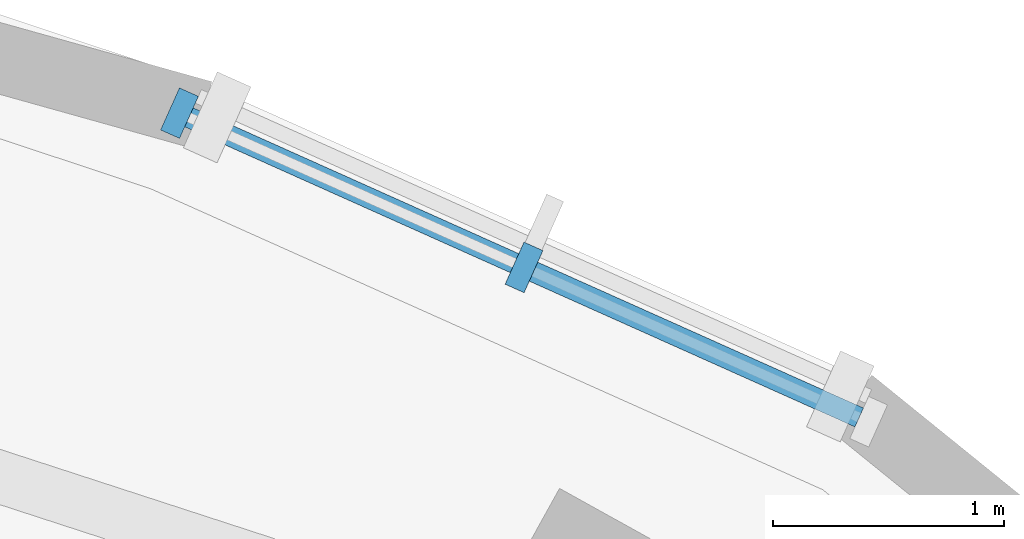
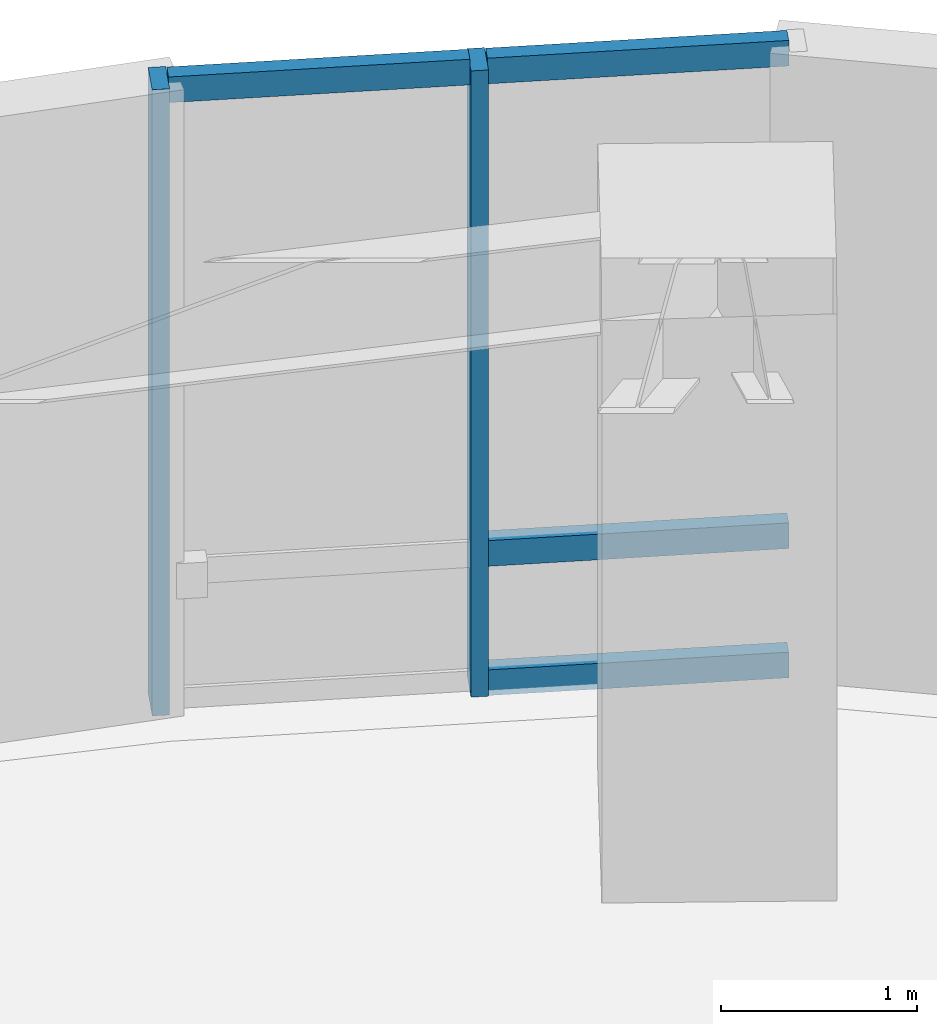
# One storey, part 5 of 13: 6 members, 1 element without a shape of its own.
"""IFC4 building model written with IfcOpenShell, lengths in metres."""

from ifc_helpers import new_model, si_unit, direction, frame, origin, origin_2d, place, context, subcontext, project, spatial, rectangle, extrude, material, layer, layer_set, material_profile, profile_set, type_object, element, aggregate, save


model = new_model("IFC4")

# Units and contexts
model_context = context("Model", 3, precision=1e-05, world=origin(), true_north=direction((0.0, 1.0)))
body_context = subcontext(model_context, "Body", "Model", "MODEL_VIEW")
ifc_project = project(units=[si_unit("LENGTHUNIT", "METRE"), si_unit("AREAUNIT", "SQUARE_METRE"), si_unit("VOLUMEUNIT", "CUBIC_METRE"), si_unit("PLANEANGLEUNIT", "RADIAN"), si_unit("MASSUNIT", "GRAM", prefix="KILO")], contexts=[model_context])

# Site, building, storey
site_placement = place(None, origin())
site = spatial("IfcSite", under=ifc_project, at=site_placement, CompositionType="ELEMENT")
building_placement = place(site_placement, origin())
building = spatial("IfcBuilding", under=site, at=building_placement, Name="Korentha Bioscience Tower", CompositionType="ELEMENT")
storey_placement = place(building_placement, frame((0.0, 0.0, 140.39990234375)))
storey = spatial("IfcBuildingStorey", under=building, at=storey_placement, Name="L32", CompositionType="ELEMENT", Elevation=140.39990234375)

# Curtain wall, members
ifc_material_1 = material(Name="Thermally Broken Aluminium Frame", Category="aluminium")
ifc_layer = layer(ifc_material_1, 0.219970703125, Name="Thermally Broken Aluminium Frame")
ifc_layer_set = layer_set([ifc_layer], Name="Thermally Broken Aluminium Frame (CW-T2)")
curtain_wall_type = type_object("IfcCurtainWallType", Name="Solar-Screened Lab Unitised Curtain Wall CW-T2", PredefinedType="USERDEFINED", material=ifc_layer_set)
curtain_wall_placement = place(storey_placement, origin())
curtain_wall = element("IfcCurtainWall", 1, at=curtain_wall_placement, inside=storey, type_object=curtain_wall_type, Name="L32 Curtain Wall 01", ObjectType="UNITISED", PredefinedType="USERDEFINED")
ifc_material_2 = material(Name="Anodised Aluminium 6063-T6", Category="aluminium")
ifc_material_profile_1 = material_profile(ifc_material_2, rectangle(XDim=0.090087890625, YDim=0.199951171875, at=origin_2d()), Name="Anodised Aluminium 6063-T6")
ifc_profile_set_1 = profile_set([ifc_material_profile_1], Name="Anodised Aluminium 6063-T6 (CW-MUL)")
member_type_1 = type_object("IfcMemberType", Name="Mullion RECT 90x200", PredefinedType="MULLION", material=ifc_profile_set_1)
member_1_placement = place(storey_placement, frame((48.871337890625, 45.72021484375, 0.0), z_axis=(0.0, 0.0, 1.0), x_axis=(-0.912686563127, 0.408660295952, 0.0)))
member_1 = element("IfcMember", 2, at=member_1_placement, type_object=member_type_1, Name="CW-L32-01 Mullion 2", PredefinedType="MULLION", context=body_context, shape_type="SweptSolid", body=[
    extrude(rectangle(XDim=0.090087890625, YDim=0.199951171875, at=origin_2d()), origin(), (0.0, 0.0, 1.0), 3.900146484375),
])
member_2_placement = place(storey_placement, frame((47.37890625, 46.388427734375, 0.0), z_axis=(0.0, 0.0, 1.0), x_axis=(-0.912686563127, 0.408660295952, 0.0)))
member_2 = element("IfcMember", 3, at=member_2_placement, type_object=member_type_1, Name="CW-L32-01 Mullion 3", PredefinedType="MULLION", context=body_context, shape_type="SweptSolid", body=[
    extrude(rectangle(XDim=0.090087890625, YDim=0.199951171875, at=origin_2d()), origin(), (0.0, 0.0, 1.0), 3.900146484375),
])
ifc_material_profile_2 = material_profile(ifc_material_2, rectangle(XDim=0.090087890625, YDim=0.159912109375, at=origin_2d()), Name="Anodised Aluminium 6063-T6")
ifc_profile_set_2 = profile_set([ifc_material_profile_2], Name="Anodised Aluminium 6063-T6 (CW-TRN)")
member_type_2 = type_object("IfcMemberType", Name="Transom RECT 90x160", PredefinedType="USERDEFINED", material=ifc_profile_set_2)
member_3_placement = place(storey_placement, frame((50.322998046875, 45.0703125, 0.045166015625), z_axis=(-0.912753156119, 0.408511537162, 0.0), x_axis=(-0.408511537162, -0.912753156119, 0.0)))
member_3 = element("IfcMember", 4, at=member_3_placement, type_object=member_type_2, Name="CW-L32-01 Bay 1 Transom 1", ObjectType="TRANSOM", PredefinedType="USERDEFINED", context=body_context, shape_type="SweptSolid", body=[
    extrude(rectangle(XDim=0.090087890625, YDim=0.159912109375, at=origin_2d()), origin(), (0.0, 0.0, 1.0), 1.54541015625),
])
member_4_placement = place(storey_placement, frame((50.322998046875, 45.0703125, 0.85009765625), z_axis=(-0.912753156119, 0.408511537162, 0.0), x_axis=(-0.408511537162, -0.912753156119, 0.0)))
member_4 = element("IfcMember", 5, at=member_4_placement, type_object=member_type_2, Name="CW-L32-01 Bay 1 Transom 2", ObjectType="TRANSOM", PredefinedType="USERDEFINED", context=body_context, shape_type="SweptSolid", body=[
    extrude(rectangle(XDim=0.090087890625, YDim=0.159912109375, at=origin_2d()), origin(), (0.0, 0.0, 1.0), 1.54541015625),
])
member_5_placement = place(storey_placement, frame((50.322998046875, 45.0703125, 3.85498046875), z_axis=(-0.912753156119, 0.408511537162, 0.0), x_axis=(-0.408511537162, -0.912753156119, 0.0)))
member_5 = element("IfcMember", 6, at=member_5_placement, type_object=member_type_2, Name="CW-L32-01 Bay 1 Transom 3", ObjectType="TRANSOM", PredefinedType="USERDEFINED", context=body_context, shape_type="SweptSolid", body=[
    extrude(rectangle(XDim=0.090087890625, YDim=0.159912109375, at=origin_2d()), origin(), (0.0, 0.0, 1.0), 1.54541015625),
])
member_6_placement = place(storey_placement, frame((48.830322265625, 45.738525390625, 3.85498046875), z_axis=(-0.912667864607, 0.408702053962, 0.0), x_axis=(-0.408702053962, -0.912667864607, 0.0)))
member_6 = element("IfcMember", 7, at=member_6_placement, type_object=member_type_2, Name="CW-L32-01 Bay 2 Transom 3", ObjectType="TRANSOM", PredefinedType="USERDEFINED", context=body_context, shape_type="SweptSolid", body=[
    extrude(rectangle(XDim=0.090087890625, YDim=0.159912109375, at=origin_2d()), origin(), (0.0, 0.0, 1.0), 1.54541015625),
])
aggregate(curtain_wall, [member_1, member_2, member_3, member_4, member_5, member_6])

save(model, "model.ifc")
